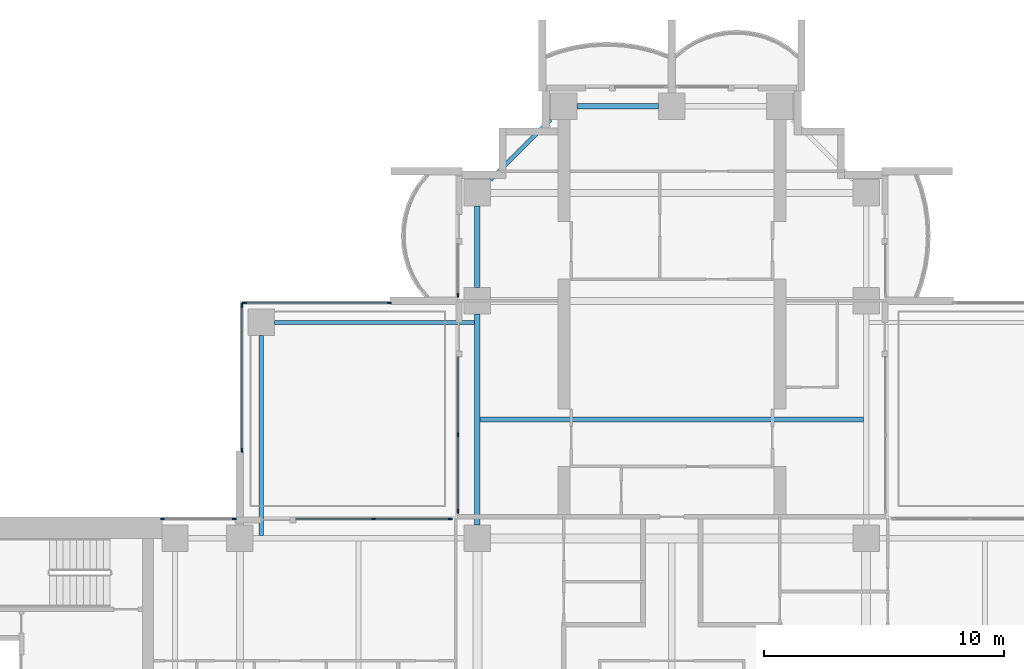
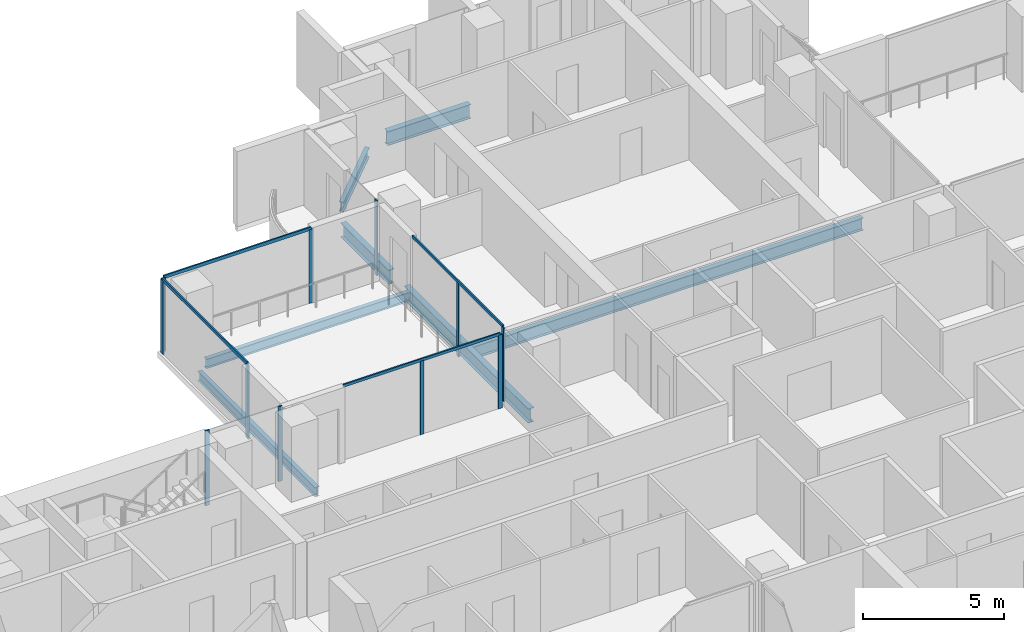
# One storey, part 5 of 18: 15 members, 7 beams, 6 elements without a shape of their own.
"""IFC4 building model written with IfcOpenShell, lengths in metres."""

from ifc_helpers import new_model, si_unit, direction, frame, origin, origin_2d, place, context, subcontext, project, spatial, rectangle, i_section, extrude, material, material_profile, profile_set, type_object, element, aggregate, save


model = new_model("IFC4")

# Units and contexts
model_context = context("Model", 3, precision=1e-05, world=origin(), true_north=direction((0.0, 1.0)))
body_context = subcontext(model_context, "Body", "Model", "MODEL_VIEW")
ifc_project = project(units=[si_unit("LENGTHUNIT", "METRE"), si_unit("AREAUNIT", "SQUARE_METRE"), si_unit("VOLUMEUNIT", "CUBIC_METRE"), si_unit("PLANEANGLEUNIT", "RADIAN"), si_unit("MASSUNIT", "GRAM", prefix="KILO")], contexts=[model_context])

# Site, building, storey
site_placement = place(None, origin())
site = spatial("IfcSite", under=ifc_project, at=site_placement, CompositionType="ELEMENT")
building_placement = place(site_placement, origin())
building = spatial("IfcBuilding", under=site, at=building_placement, Name="Perihelion Cross Residences", CompositionType="ELEMENT")
storey_placement = place(building_placement, frame((0.0, 0.0, 130.39990234375)))
storey = spatial("IfcBuildingStorey", under=building, at=storey_placement, Name="L31", CompositionType="ELEMENT", Elevation=130.39990234375)

# Curtain wall, member
ifc_material_1 = material(Name="Bronze anodised aluminium, tinted glazing", Category="aluminium")
curtain_wall_type_1 = type_object("IfcCurtainWallType", Name="CW1", PredefinedType="NOTDEFINED", material=ifc_material_1)
curtain_wall_1_placement = place(storey_placement, origin())
curtain_wall_1 = element("IfcCurtainWall", 1, at=curtain_wall_1_placement, inside=storey, type_object=curtain_wall_type_1, Name="Curtain wall CW1 L31 north side west bay 1", PredefinedType="NOTDEFINED")
ifc_material_2 = material(Name="Bronze anodised aluminium", Category="aluminium")
ifc_material_profile_1 = material_profile(ifc_material_2, rectangle(XDim=0.06005859375, YDim=0.159912109375, at=origin_2d()), Name="CW1 mullion")
ifc_profile_set_1 = profile_set([ifc_material_profile_1], Name="Bronze anodised aluminium")
member_type_1 = type_object("IfcMemberType", Name="CW1 mullion", PredefinedType="MULLION", material=ifc_profile_set_1)
member_1_placement = place(storey_placement, frame((-8.89990234375, 18.22998046875, 0.0), z_axis=(0.0, 0.0, 1.0), x_axis=(1.0, 0.0, 0.0)))
member_1 = element("IfcMember", 2, at=member_1_placement, type_object=member_type_1, Name="CW1 mullion 2", PredefinedType="MULLION", context=body_context, shape_type="SweptSolid", body=[
    extrude(rectangle(XDim=0.06005859375, YDim=0.159912109375, at=origin_2d()), origin(), (0.0, 0.0, 1.0), 3.25),
])
aggregate(curtain_wall_1, [member_1])

# Curtain wall, members
curtain_wall_2_placement = place(storey_placement, origin())
curtain_wall_2 = element("IfcCurtainWall", 3, at=curtain_wall_2_placement, inside=storey, type_object=curtain_wall_type_1, Name="Curtain wall CW1 L31 north side west bay 2", PredefinedType="NOTDEFINED")
member_2_placement = place(storey_placement, frame((-8.89990234375, 12.425048828125, 0.0), z_axis=(0.0, 0.0, 1.0), x_axis=(1.0, 0.0, 0.0)))
member_2 = element("IfcMember", 4, at=member_2_placement, type_object=member_type_1, Name="CW1 mullion 2", PredefinedType="MULLION", context=body_context, shape_type="SweptSolid", body=[
    extrude(rectangle(XDim=0.06005859375, YDim=0.159912109375, at=origin_2d()), origin(), (0.0, 0.0, 1.0), 3.190185546875),
])
member_3_placement = place(storey_placement, frame((-8.89990234375, 9.22998046875, 0.0), z_axis=(0.0, 0.0, 1.0), x_axis=(1.0, 0.0, 0.0)))
member_3 = element("IfcMember", 5, at=member_3_placement, type_object=member_type_1, Name="CW1 mullion 3", PredefinedType="MULLION", context=body_context, shape_type="SweptSolid", body=[
    extrude(rectangle(XDim=0.06005859375, YDim=0.159912109375, at=origin_2d()), origin(), (0.0, 0.0, 1.0), 3.190185546875),
])

curtain_wall_3_placement = place(storey_placement, origin())
curtain_wall_3 = element("IfcCurtainWall", 6, at=curtain_wall_3_placement, inside=storey, type_object=curtain_wall_type_1, Name="Curtain wall CW1 L31 west side north bay 1", PredefinedType="NOTDEFINED")
member_4_placement = place(storey_placement, frame((-9.22998046875, 8.89990234375, 0.0), z_axis=(0.0, 0.0, 1.0), x_axis=(0.0, -1.0, 0.0)))
member_4 = element("IfcMember", 7, at=member_4_placement, type_object=member_type_1, Name="CW1 mullion 1", PredefinedType="MULLION", context=body_context, shape_type="SweptSolid", body=[
    extrude(rectangle(XDim=0.06005859375, YDim=0.159912109375, at=origin_2d()), origin(), (0.0, 0.0, 1.0), 3.190185546875),
])
member_5_placement = place(storey_placement, frame((-12.425048828125, 8.89990234375, 0.0), z_axis=(0.0, 0.0, 1.0), x_axis=(0.0, -1.0, 0.0)))
member_5 = element("IfcMember", 8, at=member_5_placement, type_object=member_type_1, Name="CW1 mullion 2", PredefinedType="MULLION", context=body_context, shape_type="SweptSolid", body=[
    extrude(rectangle(XDim=0.06005859375, YDim=0.159912109375, at=origin_2d()), origin(), (0.0, 0.0, 1.0), 3.190185546875),
])

curtain_wall_4_placement = place(storey_placement, origin())
curtain_wall_4 = element("IfcCurtainWall", 9, at=curtain_wall_4_placement, inside=storey, type_object=curtain_wall_type_1, Name="Curtain wall CW1 L31 west side north bay 2", PredefinedType="NOTDEFINED")
member_6_placement = place(storey_placement, frame((-18.22998046875, 8.89990234375, 0.0), z_axis=(0.0, 0.0, 1.0), x_axis=(0.0, -1.0, 0.0)))
member_6 = element("IfcMember", 10, at=member_6_placement, type_object=member_type_1, Name="CW1 mullion 1", PredefinedType="MULLION", context=body_context, shape_type="SweptSolid", body=[
    extrude(rectangle(XDim=0.06005859375, YDim=0.159912109375, at=origin_2d()), origin(), (0.0, 0.0, 1.0), 3.25),
])
member_7_placement = place(storey_placement, frame((-21.219970703125, 8.89990234375, 0.0), z_axis=(0.0, 0.0, 1.0), x_axis=(0.0, -1.0, 0.0)))
member_7 = element("IfcMember", 11, at=member_7_placement, type_object=member_type_1, Name="CW1 mullion 2", PredefinedType="MULLION", context=body_context, shape_type="SweptSolid", body=[
    extrude(rectangle(XDim=0.06005859375, YDim=0.159912109375, at=origin_2d()), origin(), (0.0, 0.0, 1.0), 3.25),
])
aggregate(curtain_wall_4, [member_6, member_7])

# Member
ifc_material_3 = material(Name="Bronze anodised aluminium", Category="aluminium")
ifc_material_profile_2 = material_profile(ifc_material_3, rectangle(XDim=0.06005859375, YDim=0.1201171875, at=origin_2d()), Name="CW1 transom")
ifc_profile_set_2 = profile_set([ifc_material_profile_2], Name="Bronze anodised aluminium")
member_type_2 = type_object("IfcMemberType", Name="CW1 transom", PredefinedType="USERDEFINED", material=ifc_profile_set_2)
member_8_placement = place(storey_placement, frame((-8.89990234375, 15.64990234375, 3.22021484375), z_axis=(0.0, -1.0, 0.0), x_axis=(1.0, 0.0, 0.0)))
member_8 = element("IfcMember", 12, at=member_8_placement, type_object=member_type_2, Name="CW1 head transom", ObjectType="TRANSOM", PredefinedType="USERDEFINED", context=body_context, shape_type="SweptSolid", body=[
    extrude(rectangle(XDim=0.06005859375, YDim=0.1201171875, at=origin_2d()), origin(), (0.0, 0.0, 1.0), 6.419921875),
])

aggregate(curtain_wall_2, [member_2, member_3, member_8])

member_9_placement = place(storey_placement, frame((-9.22998046875, 8.89990234375, 3.22021484375), z_axis=(-1.0, 0.0, 0.0), x_axis=(0.0, -1.0, 0.0)))
member_9 = element("IfcMember", 13, at=member_9_placement, type_object=member_type_2, Name="CW1 head transom", ObjectType="TRANSOM", PredefinedType="USERDEFINED", context=body_context, shape_type="SweptSolid", body=[
    extrude(rectangle(XDim=0.06005859375, YDim=0.1201171875, at=origin_2d()), origin(), (0.0, 0.0, 1.0), 6.419921875),
])

aggregate(curtain_wall_3, [member_4, member_5, member_9])

# Curtain wall, members
ifc_material_4 = material(Name="Bronze anodised aluminium, tinted glazing", Category="aluminium")
curtain_wall_type_2 = type_object("IfcCurtainWallType", Name="CW4", PredefinedType="NOTDEFINED", material=ifc_material_4)
curtain_wall_5_placement = place(storey_placement, origin())
curtain_wall_5 = element("IfcCurtainWall", 14, at=curtain_wall_5_placement, inside=storey, type_object=curtain_wall_type_2, Name="Curtain wall CW4 L31 pocket north-west 1 1", PredefinedType="NOTDEFINED")
ifc_material_5 = material(Name="Bronze anodised aluminium", Category="aluminium")
ifc_material_profile_3 = material_profile(ifc_material_5, rectangle(XDim=0.06005859375, YDim=0.179931640625, at=origin_2d()), Name="CW4 mullion")
ifc_profile_set_3 = profile_set([ifc_material_profile_3], Name="Bronze anodised aluminium")
member_type_3 = type_object("IfcMemberType", Name="CW4 mullion", PredefinedType="MULLION", material=ifc_profile_set_3)
member_10_placement = place(storey_placement, frame((-17.89990234375, 11.77001953125, 0.0), z_axis=(0.0, 0.0, 1.0), x_axis=(-1.0, 0.0, 0.0)))
member_10 = element("IfcMember", 15, at=member_10_placement, type_object=member_type_3, Name="CW4 mullion 1", PredefinedType="MULLION", context=body_context, shape_type="SweptSolid", body=[
    extrude(rectangle(XDim=0.06005859375, YDim=0.179931640625, at=origin_2d()), origin(), (0.0, 0.0, 1.0), 3.190185546875),
])
member_11_placement = place(storey_placement, frame((-17.89990234375, 17.800048828125, 0.0), z_axis=(0.0, 0.0, 1.0), x_axis=(-1.0, 0.0, 0.0)))
member_11 = element("IfcMember", 16, at=member_11_placement, type_object=member_type_3, Name="CW4 mullion 2", PredefinedType="MULLION", context=body_context, shape_type="SweptSolid", body=[
    extrude(rectangle(XDim=0.06005859375, YDim=0.179931640625, at=origin_2d()), origin(), (0.0, 0.0, 1.0), 3.190185546875),
])

curtain_wall_6_placement = place(storey_placement, origin())
curtain_wall_6 = element("IfcCurtainWall", 17, at=curtain_wall_6_placement, inside=storey, type_object=curtain_wall_type_2, Name="Curtain wall CW4 L31 pocket north-west 1 2", PredefinedType="NOTDEFINED")
member_12_placement = place(storey_placement, frame((-17.800048828125, 17.89990234375, 0.0), z_axis=(0.0, 0.0, 1.0), x_axis=(0.0, 1.0, 0.0)))
member_12 = element("IfcMember", 18, at=member_12_placement, type_object=member_type_3, Name="CW4 mullion 1", PredefinedType="MULLION", context=body_context, shape_type="SweptSolid", body=[
    extrude(rectangle(XDim=0.06005859375, YDim=0.179931640625, at=origin_2d()), origin(), (0.0, 0.0, 1.0), 3.190185546875),
])
member_13_placement = place(storey_placement, frame((-11.77001953125, 17.89990234375, 0.0), z_axis=(0.0, 0.0, 1.0), x_axis=(0.0, 1.0, 0.0)))
member_13 = element("IfcMember", 19, at=member_13_placement, type_object=member_type_3, Name="CW4 mullion 2", PredefinedType="MULLION", context=body_context, shape_type="SweptSolid", body=[
    extrude(rectangle(XDim=0.06005859375, YDim=0.179931640625, at=origin_2d()), origin(), (0.0, 0.0, 1.0), 3.190185546875),
])

# Member
ifc_material_6 = material(Name="Bronze anodised aluminium", Category="aluminium")
ifc_material_profile_4 = material_profile(ifc_material_6, rectangle(XDim=0.06005859375, YDim=0.139892578125, at=origin_2d()), Name="CW4 transom")
ifc_profile_set_4 = profile_set([ifc_material_profile_4], Name="Bronze anodised aluminium")
member_type_4 = type_object("IfcMemberType", Name="CW4 transom", PredefinedType="USERDEFINED", material=ifc_profile_set_4)
member_14_placement = place(storey_placement, frame((-17.89990234375, 11.77001953125, 3.22021484375), z_axis=(0.0, 1.0, 0.0), x_axis=(-1.0, 0.0, 0.0)))
member_14 = element("IfcMember", 20, at=member_14_placement, type_object=member_type_4, Name="CW4 head transom", ObjectType="TRANSOM", PredefinedType="USERDEFINED", context=body_context, shape_type="SweptSolid", body=[
    extrude(rectangle(XDim=0.06005859375, YDim=0.139892578125, at=origin_2d()), origin(), (0.0, 0.0, 1.0), 6.030029296875),
])

aggregate(curtain_wall_5, [member_10, member_11, member_14])

member_15_placement = place(storey_placement, frame((-17.800048828125, 17.89990234375, 3.22021484375), z_axis=(1.0, 0.0, 0.0), x_axis=(0.0, 1.0, 0.0)))
member_15 = element("IfcMember", 21, at=member_15_placement, type_object=member_type_4, Name="CW4 head transom", ObjectType="TRANSOM", PredefinedType="USERDEFINED", context=body_context, shape_type="SweptSolid", body=[
    extrude(rectangle(XDim=0.06005859375, YDim=0.139892578125, at=origin_2d()), origin(), (0.0, 0.0, 1.0), 6.030029296875),
])

aggregate(curtain_wall_6, [member_12, member_13, member_15])

# Beams
ifc_material_7 = material(Name="Steel S355", Category="steel")
ifc_material_profile_5 = material_profile(ifc_material_7, i_section(OverallWidth=0.177978515625, OverallDepth=0.406005859375, WebThickness=0.0078125, FlangeThickness=0.0126953125, at=origin_2d()), Name="W410x60")
ifc_profile_set_5 = profile_set([ifc_material_profile_5], Name="Steel S355")
beam_type_1 = type_object("IfcBeamType", Name="Core edge beam W410x60", PredefinedType="BEAM", material=ifc_profile_set_5)
for number, where, z_axis, x_axis, name in (
    (22, (-17.10009765625, 8.214599609375, -0.452880859375), (0.0, 1.0, 0.0), (-1.0, 0.0, 0.0), "Core edge beam TB2 L31 corner no. 3"),
    (23, (-8.214599609375, 17.10009765625, -0.452880859375), (-1.0, 0.0, 0.0), (0.0, -1.0, 0.0), "Core edge beam TB2 L31 corner no. 4"),
):
    element("IfcBeam", number, at=place(storey_placement, frame(where, z_axis=z_axis, x_axis=x_axis)), inside=storey, type_object=beam_type_1, Name=name, PredefinedType="BEAM", context=body_context, shape_type="SweptSolid", body=[
        extrude(i_section(OverallWidth=0.177978515625, OverallDepth=0.406005859375, WebThickness=0.0078125, FlangeThickness=0.0126953125, at=origin_2d()), origin(), (0.0, 0.0, 1.0), 8.33544921875),
    ])
ifc_material_8 = material(Name="Steel S355", Category="steel")
ifc_material_profile_6 = material_profile(ifc_material_8, i_section(OverallWidth=0.22900390625, OverallDepth=0.612060546875, WebThickness=0.011962890625, FlangeThickness=0.01953125, at=origin_2d()), Name="W610x125")
ifc_profile_set_6 = profile_set([ifc_material_profile_6], Name="Steel S355")
beam_type_2 = type_object("IfcBeamType", Name="Edge beam W610x125", PredefinedType="SPANDREL", material=ifc_profile_set_6)
for number, where, z_axis, x_axis, name in (
    (24, (-0.550048828125, 26.10009765625, -0.555908203125), (-1.0, 0.0, 0.0), (0.0, -1.0, 0.0), "Edge beam SB3 L31 no. 10"),
    (25, (-8.10009765625, 21.949951171875, -0.555908203125), (0.0, -1.0, 0.0), (1.0, 0.0, 0.0), "Edge beam SB3 L31 no. 7"),
):
    element("IfcBeam", number, at=place(storey_placement, frame(where, z_axis=z_axis, x_axis=x_axis)), inside=storey, type_object=beam_type_2, Name=name, PredefinedType="SPANDREL", context=body_context, shape_type="SweptSolid", body=[
        extrude(i_section(OverallWidth=0.22900390625, OverallDepth=0.612060546875, WebThickness=0.011962890625, FlangeThickness=0.01953125, at=origin_2d()), origin(), (0.0, 0.0, 1.0), 3.39990234375),
    ])
beam_1_placement = place(storey_placement, frame((-8.10009765625, 17.449951171875, -0.555908203125), z_axis=(0.0, -1.0, 0.0), x_axis=(1.0, 0.0, 0.0)))
element("IfcBeam", 26, at=beam_1_placement, inside=storey, type_object=beam_type_2, Name="Edge beam SB3 L31 no. 6", PredefinedType="SPANDREL", context=body_context, shape_type="SweptSolid", body=[
    extrude(i_section(OverallWidth=0.22900390625, OverallDepth=0.612060546875, WebThickness=0.011962890625, FlangeThickness=0.01953125, at=origin_2d()), origin(), (0.0, 0.0, 1.0), 8.800048828125),
])
ifc_material_9 = material(Name="Steel S355", Category="steel")
ifc_material_profile_7 = material_profile(ifc_material_9, i_section(OverallWidth=0.208984375, OverallDepth=0.532958984375, WebThickness=0.01025390625, FlangeThickness=0.015625, at=origin_2d()), Name="W530x92")
ifc_profile_set_7 = profile_set([ifc_material_profile_7], Name="Steel S355")
beam_type_3 = type_object("IfcBeamType", Name="Floor joist W530x92", PredefinedType="JOIST", material=ifc_profile_set_7)
beam_2_placement = place(storey_placement, frame((-7.985595703125, 13.050048828125, -0.516357421875), z_axis=(1.0, 0.0, 0.0), x_axis=(0.0, 1.0, 0.0)))
element("IfcBeam", 27, at=beam_2_placement, inside=storey, type_object=beam_type_3, Name="Joist J4 L31 no. 4", PredefinedType="JOIST", context=body_context, shape_type="SweptSolid", body=[
    extrude(i_section(OverallWidth=0.208984375, OverallDepth=0.532958984375, WebThickness=0.01025390625, FlangeThickness=0.015625, at=origin_2d()), origin(), (0.0, 0.0, 1.0), 15.97119140625),
])
ifc_material_10 = material(Name="Steel S355", Category="steel")
ifc_material_profile_8 = material_profile(ifc_material_10, i_section(OverallWidth=0.180908203125, OverallDepth=0.4169921875, WebThickness=0.010986328125, FlangeThickness=0.018310546875, at=origin_2d()), Name="W410x85")
ifc_profile_set_8 = profile_set([ifc_material_profile_8], Name="Steel S355")
beam_type_4 = type_object("IfcBeamType", Name="Serration edge beam W410x85", PredefinedType="BEAM", material=ifc_profile_set_8)
beam_3_placement = place(storey_placement, frame((-5.050048828125, 25.550048828125, -0.45849609375), z_axis=(-0.707106781187, -0.707106781187, 0.0), x_axis=(0.707106781187, -0.707106781187, 0.0)))
element("IfcBeam", 28, at=beam_3_placement, inside=storey, type_object=beam_type_4, Name="Serration edge beam EB3 L31 no. 1", PredefinedType="BEAM", context=body_context, shape_type="SweptSolid", body=[
    extrude(i_section(OverallWidth=0.180908203125, OverallDepth=0.4169921875, WebThickness=0.010986328125, FlangeThickness=0.018310546875, at=origin_2d()), origin(), (0.0, 0.0, 1.0), 3.53564453125),
])

save(model, "model.ifc")
